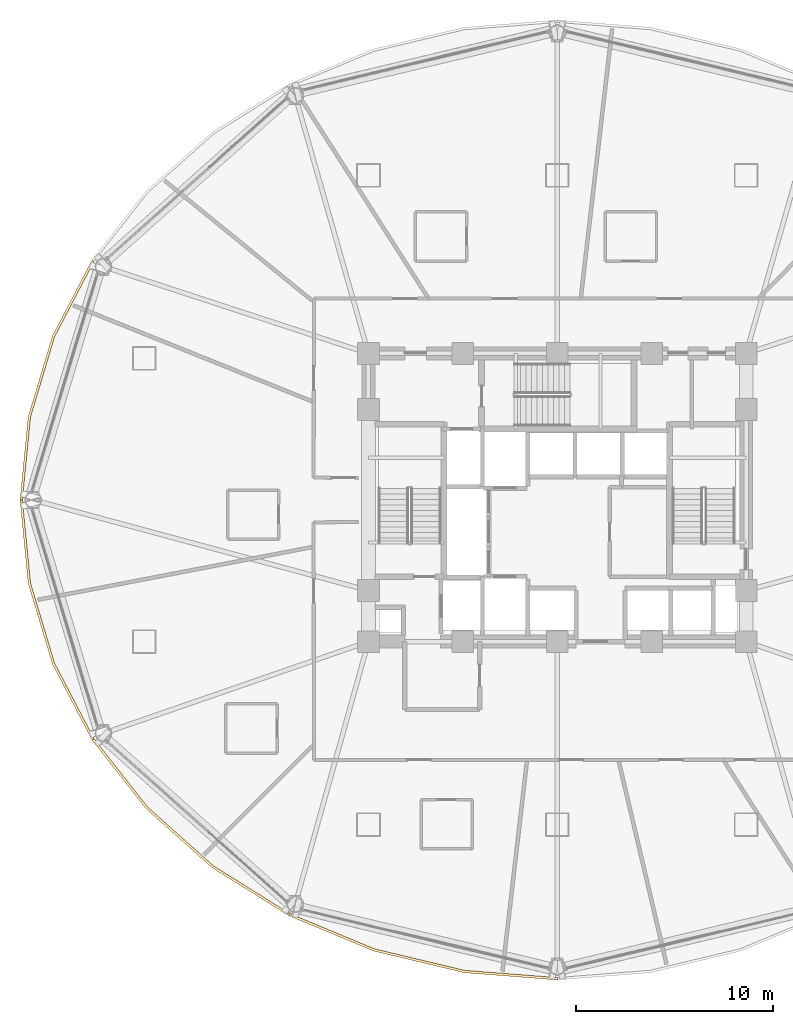
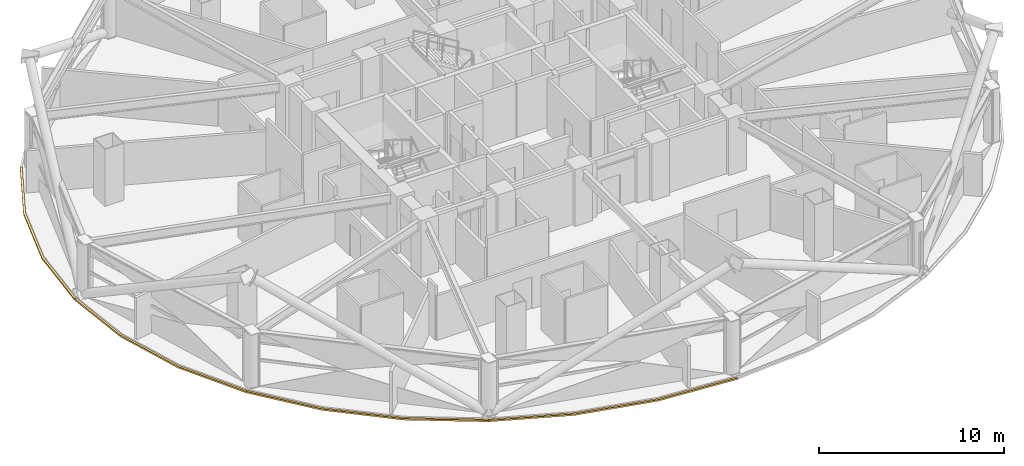
# One storey, part 28 of 31: 4 coverings.
"""IFC4 building model written with IfcOpenShell, lengths in metres."""

from ifc_helpers import new_model, si_unit, direction, frame, origin, place, context, subcontext, project, spatial, polyline, outline, extrude, material, layer, layer_set, type_object, element, save


model = new_model("IFC4")

# Units and contexts
model_context = context("Model", 3, precision=1e-05, world=origin(), true_north=direction((0.0, 1.0)))
body_context = subcontext(model_context, "Body", "Model", "MODEL_VIEW")
ifc_project = project(units=[si_unit("LENGTHUNIT", "METRE"), si_unit("AREAUNIT", "SQUARE_METRE"), si_unit("VOLUMEUNIT", "CUBIC_METRE"), si_unit("PLANEANGLEUNIT", "RADIAN"), si_unit("MASSUNIT", "GRAM", prefix="KILO")], contexts=[model_context])

# Site, building, storey
site_placement = place(None, origin())
site = spatial("IfcSite", under=ifc_project, at=site_placement, CompositionType="ELEMENT")
building_placement = place(site_placement, origin())
building = spatial("IfcBuilding", under=site, at=building_placement, Name="Vantalir Tower", CompositionType="ELEMENT")
storey_placement = place(building_placement, frame((0.0, 0.0, 42.0)))
storey = spatial("IfcBuildingStorey", under=building, at=storey_placement, Name="L09", CompositionType="ELEMENT", Elevation=42.0)

# Coverings
ifc_material = material(Name="Anodised champagne aluminium sill fascia", Category="aluminium")
ifc_layer = layer(ifc_material, 0.125)
ifc_layer_set = layer_set([ifc_layer], Name="Anodised champagne aluminium sill fascia")
covering_type = type_object("IfcCoveringType", Name="COV-SLAB-FASCIA-125", PredefinedType="CLADDING", material=ifc_layer_set)
covering_1_placement = place(storey_placement, frame((0.0, 0.0, -0.179931640625)))
element("IfcCovering", 1, at=covering_1_placement, inside=storey, type_object=covering_type, Name="L09 Perimeter Slab-Edge Sill Fascia 06", PredefinedType="CLADDING", context=body_context, shape_type="SweptSolid", body=[
    extrude(outline(polyline([(7.844970703125, 37.199951171875), (5.8330078125, 33.345947265625), (4.60107421875, 29.237060546875), (4.18603515625, 25.0), (4.31103515625, 25.0), (4.72412109375, 29.215087890625), (5.950927734375, 33.302978515625), (7.9541015625, 37.137939453125), (7.844970703125, 37.199951171875)])), origin(), (0.0, 0.0, 1.0), 0.10498046875),
])
covering_2_placement = place(storey_placement, frame((0.0, 0.0, -0.179931640625)))
element("IfcCovering", 2, at=covering_2_placement, inside=storey, type_object=covering_type, Name="L09 Perimeter Slab-Edge Sill Fascia 07", PredefinedType="CLADDING", context=body_context, shape_type="SweptSolid", body=[
    extrude(outline(polyline([(4.18603515625, 25.0), (4.60107421875, 20.762939453125), (5.8330078125, 16.654052734375), (7.844970703125, 12.799072265625), (7.9541015625, 12.862060546875), (5.950927734375, 16.697021484375), (4.72412109375, 20.784912109375), (4.31103515625, 25.0), (4.18603515625, 25.0)])), origin(), (0.0, 0.0, 1.0), 0.10498046875),
])
covering_3_placement = place(storey_placement, frame((0.0, 0.0, -0.179931640625)))
element("IfcCovering", 3, at=covering_3_placement, inside=storey, type_object=covering_type, Name="L09 Perimeter Slab-Edge Sill Fascia 08", PredefinedType="CLADDING", context=body_context, shape_type="SweptSolid", body=[
    extrude(outline(polyline([(7.844970703125, 12.799072265625), (10.575927734375, 9.31494140625), (13.943115234375, 6.30810546875), (17.843017578125, 3.867919921875), (17.905029296875, 3.97607421875), (14.02294921875, 6.404052734375), (10.672119140625, 9.39599609375), (7.9541015625, 12.862060546875), (7.844970703125, 12.799072265625)])), origin(), (0.0, 0.0, 1.0), 0.10498046875),
])
covering_4_placement = place(storey_placement, frame((0.0, 0.0, -0.179931640625)))
element("IfcCovering", 4, at=covering_4_placement, inside=storey, type_object=covering_type, Name="L09 Perimeter Slab-Edge Sill Fascia 09", PredefinedType="CLADDING", context=body_context, shape_type="SweptSolid", body=[
    extrude(outline(polyline([(17.843017578125, 3.867919921875), (22.157958984375, 2.071044921875), (26.757080078125, 0.969970703125), (31.5, 0.59912109375), (31.5, 0.72412109375), (26.779052734375, 1.093017578125), (22.200927734375, 2.18798828125), (17.905029296875, 3.97607421875), (17.843017578125, 3.867919921875)])), origin(), (0.0, 0.0, 1.0), 0.10498046875),
])

save(model, "model.ifc")
